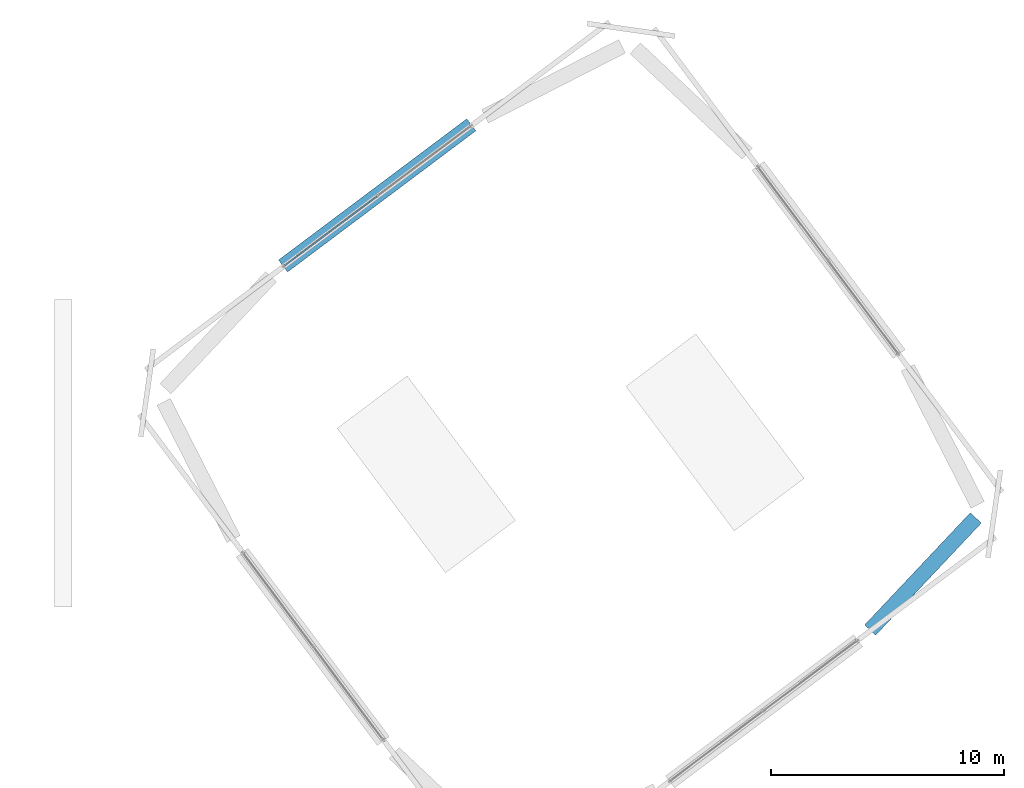
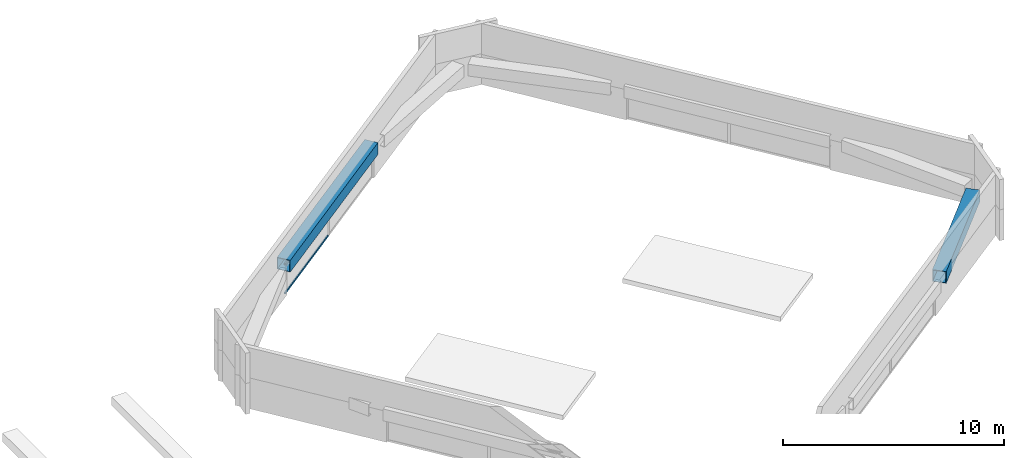
# One storey, part 19 of 31: 2 beams, 2 members, 1 element without a shape of its own.
"""IFC4 building model written with IfcOpenShell, lengths in metres."""

from ifc_helpers import new_model, si_unit, direction, frame, origin, origin_2d, place, context, subcontext, project, spatial, hollow_rectangle, extrude, material, material_profile, profile_set, type_object, element, aggregate, save


model = new_model("IFC4")

# Units and contexts
model_context = context("Model", 3, precision=1e-05, world=origin(), true_north=direction((0.0, 1.0)))
body_context = subcontext(model_context, "Body", "Model", "MODEL_VIEW")
ifc_project = project(units=[si_unit("LENGTHUNIT", "METRE"), si_unit("AREAUNIT", "SQUARE_METRE"), si_unit("VOLUMEUNIT", "CUBIC_METRE"), si_unit("PLANEANGLEUNIT", "RADIAN"), si_unit("MASSUNIT", "GRAM", prefix="KILO")], contexts=[model_context])

# Site, building, storey
site_placement = place(None, origin())
site = spatial("IfcSite", under=ifc_project, at=site_placement, CompositionType="ELEMENT")
building_placement = place(site_placement, origin())
building = spatial("IfcBuilding", under=site, at=building_placement, Name="Tashvorn Skyway Center", CompositionType="ELEMENT")
storey_placement = place(building_placement, frame((0.0, 0.0, 266.949951171875)))
storey = spatial("IfcBuildingStorey", under=building, at=storey_placement, Name="L72", CompositionType="ELEMENT", Elevation=266.949951171875)

# Beams
ifc_material_1 = material(Name="Steel ASTM A572 Grade 50", Category="steel")
ifc_material_profile_1 = material_profile(ifc_material_1, hollow_rectangle(XDim=0.64990234375, YDim=0.64990234375, WallThickness=0.02490234375, at=origin_2d()), Name="BOX650x650x25")
ifc_profile_set_1 = profile_set([ifc_material_profile_1], Name="Steel ASTM A572 Grade 50")
beam_type = type_object("IfcBeamType", Name="BM-BEAM-BOX650x650x25", PredefinedType="BEAM", material=ifc_profile_set_1)
beam_1_placement = place(storey_placement, frame((126.866455078125, 24.4111328125, 3.08349609375), z_axis=(0.685594814649, 0.727983344677, 0.0), x_axis=(-0.727983344677, 0.685594814649, 0.0)))
element("IfcBeam", 1, at=beam_1_placement, inside=storey, type_object=beam_type, Name="CROWN FRAME Tower 2 Upper-Tier Ring Beam 03", PredefinedType="BEAM", context=body_context, shape_type="SweptSolid", body=[
    extrude(hollow_rectangle(XDim=0.64990234375, YDim=0.64990234375, WallThickness=0.02490234375, at=origin_2d()), origin(), (0.0, 0.0, 1.0), 6.61767578125),
])
beam_2_placement = place(storey_placement, frame((109.73388671875, 46.113037109375, 3.08349609375), z_axis=(-0.8, -0.6, 0.0), x_axis=(0.6, -0.8, 0.0)))
element("IfcBeam", 2, at=beam_2_placement, inside=storey, type_object=beam_type, Name="CROWN FRAME Tower 2 Upper-Tier Ring Beam 08", PredefinedType="BEAM", context=body_context, shape_type="SweptSolid", body=[
    extrude(hollow_rectangle(XDim=0.64990234375, YDim=0.64990234375, WallThickness=0.02490234375, at=origin_2d()), origin(), (0.0, 0.0, 1.0), 10.10986328125),
])

# Curtain wall, members
ifc_material_2 = material(Name="Thermally broken bronze-anodized aluminium 6063-T6", Category="aluminium")
curtain_wall_type = type_object("IfcCurtainWallType", Name="CW-CW-SKY", PredefinedType="NOTDEFINED", material=ifc_material_2)
curtain_wall_placement = place(storey_placement, origin())
curtain_wall = element("IfcCurtainWall", 3, at=curtain_wall_placement, inside=storey, type_object=curtain_wall_type, Name="CROWN Lantern Fritted Curtain Wall T2 N-4", PredefinedType="NOTDEFINED")
ifc_material_profile_2 = material_profile(ifc_material_2, hollow_rectangle(XDim=0.06494140625, YDim=0.10498046875, WallThickness=0.00390625, at=origin_2d()), Name="ALU-TRAN-65x105")
ifc_profile_set_2 = profile_set([ifc_material_profile_2], Name="Thermally broken bronze-anodized aluminium 6063-T6")
member_type = type_object("IfcMemberType", Name="CWT-CW-SKY", PredefinedType="USERDEFINED", material=ifc_profile_set_2)
member_1_placement = place(storey_placement, frame((101.719970703125, 40.06494140625, 1.4775390625), z_axis=(0.799976337273, 0.600031549007, 0.0), x_axis=(-0.600031549007, 0.799976337273, 0.0)))
member_1 = element("IfcMember", 4, at=member_1_placement, type_object=member_type, Name="CW-SKY transom 1.1", ObjectType="TRANSOM", PredefinedType="USERDEFINED", context=body_context, shape_type="SweptSolid", body=[
    extrude(hollow_rectangle(XDim=0.06494140625, YDim=0.10498046875, WallThickness=0.00390625, at=origin_2d()), origin(), (0.0, 0.0, 1.0), 4.95263671875),
])
member_2_placement = place(storey_placement, frame((101.719970703125, 40.06494140625, 3.07763671875), z_axis=(0.799976337273, 0.600031549007, 0.0), x_axis=(-0.600031549007, 0.799976337273, 0.0)))
member_2 = element("IfcMember", 5, at=member_2_placement, type_object=member_type, Name="CW-SKY transom 1.2", ObjectType="TRANSOM", PredefinedType="USERDEFINED", context=body_context, shape_type="SweptSolid", body=[
    extrude(hollow_rectangle(XDim=0.06494140625, YDim=0.10498046875, WallThickness=0.00390625, at=origin_2d()), origin(), (0.0, 0.0, 1.0), 4.95263671875),
])
aggregate(curtain_wall, [member_1, member_2])

save(model, "model.ifc")
